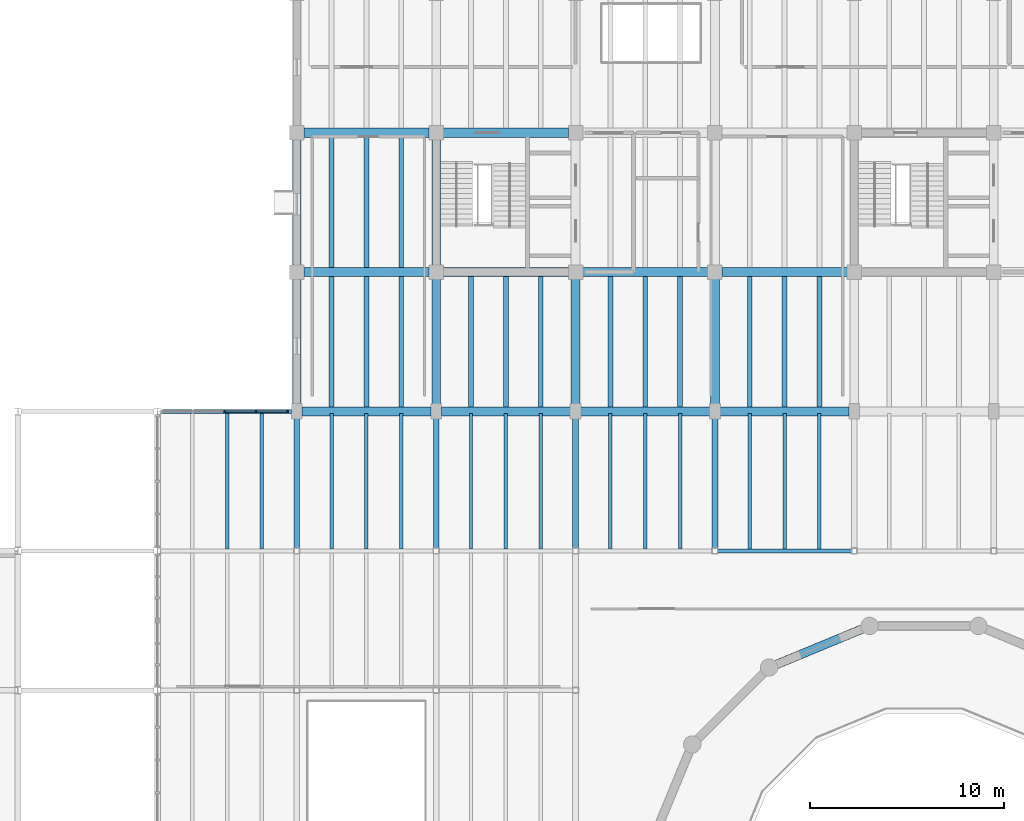
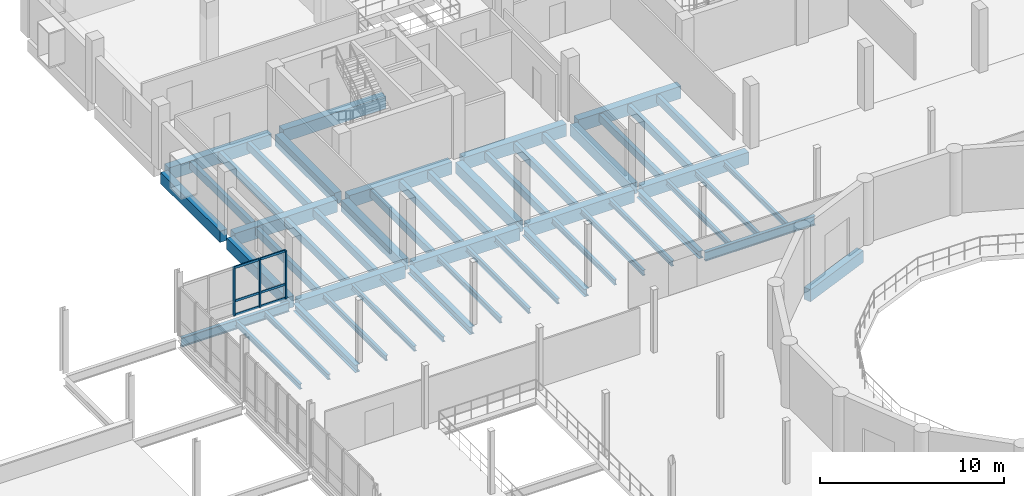
# One storey, part 31 of 72: 52 beams, 9 members, 1 element without a shape of its own.
"""IFC4 building model written with IfcOpenShell, lengths in metres."""

from ifc_helpers import new_model, si_unit, direction, frame, origin, origin_2d, place, context, subcontext, project, spatial, rectangle, i_section, extrude, material, material_profile, profile_set, type_object, element, aggregate, save


model = new_model("IFC4")

# Units and contexts
model_context = context("Model", 3, precision=1e-05, world=origin(), true_north=direction((0.0, 1.0)))
body_context = subcontext(model_context, "Body", "Model", "MODEL_VIEW")
ifc_project = project(units=[si_unit("LENGTHUNIT", "METRE"), si_unit("AREAUNIT", "SQUARE_METRE"), si_unit("VOLUMEUNIT", "CUBIC_METRE"), si_unit("PLANEANGLEUNIT", "RADIAN"), si_unit("MASSUNIT", "GRAM", prefix="KILO")], contexts=[model_context])

# Site, building, storey
site_placement = place(None, origin())
site = spatial("IfcSite", under=ifc_project, at=site_placement, CompositionType="ELEMENT")
building_placement = place(site_placement, origin())
building = spatial("IfcBuilding", under=site, at=building_placement, Name="Qiaolan Assembly House", CompositionType="ELEMENT")
storey_placement = place(building_placement, frame((0.0, 0.0, 10.199951171875)))
storey = spatial("IfcBuildingStorey", under=building, at=storey_placement, Name="L02", CompositionType="ELEMENT", Elevation=10.199951171875)

# Beams
ifc_material_1 = material(Name="Concrete C40/50", Category="concrete")
ifc_material_profile_1 = material_profile(ifc_material_1, rectangle(XDim=0.449951171875, YDim=0.75, at=origin_2d()), Name="RCB 450x750")
ifc_profile_set_1 = profile_set([ifc_material_profile_1], Name="Concrete C40/50")
beam_type_1 = type_object("IfcBeamType", Name="BM-RC-450x750", PredefinedType="BEAM", material=ifc_profile_set_1)
beam_1_placement = place(storey_placement, frame((36.0, 86.6650390625, -0.60498046875), z_axis=(0.0, 1.0, 0.0), x_axis=(-1.0, 0.0, 0.0)))
element("IfcBeam", 1, at=beam_1_placement, inside=storey, type_object=beam_type_1, Name="GB-04 beam BMY-NW-L02-00-00", PredefinedType="BEAM", context=body_context, shape_type="SweptSolid", body=[
    extrude(rectangle(XDim=0.449951171875, YDim=0.75, at=origin_2d()), origin(), (0.0, 0.0, 1.0), 6.570068359375),
])
beam_2_placement = place(storey_placement, frame((36.0, 93.965087890625, -0.60498046875), z_axis=(0.0, 1.0, 0.0), x_axis=(-1.0, 0.0, 0.0)))
element("IfcBeam", 2, at=beam_2_placement, inside=storey, type_object=beam_type_1, Name="GB-04 beam BMY-NW-L02-00-01", PredefinedType="BEAM", context=body_context, shape_type="SweptSolid", body=[
    extrude(rectangle(XDim=0.449951171875, YDim=0.75, at=origin_2d()), origin(), (0.0, 0.0, 1.0), 6.469970703125),
])
beam_3_placement = place(storey_placement, frame((43.199951171875, 86.6650390625, -0.60498046875), z_axis=(0.0, 1.0, 0.0), x_axis=(-1.0, 0.0, 0.0)))
element("IfcBeam", 3, at=beam_3_placement, inside=storey, type_object=beam_type_1, Name="GB-04 beam BMY-NW-L02-01-00", PredefinedType="BEAM", context=body_context, shape_type="SweptSolid", body=[
    extrude(rectangle(XDim=0.449951171875, YDim=0.75, at=origin_2d()), origin(), (0.0, 0.0, 1.0), 6.570068359375),
])
beam_4_placement = place(storey_placement, frame((43.199951171875, 93.965087890625, -0.60498046875), z_axis=(0.0, 1.0, 0.0), x_axis=(-1.0, 0.0, 0.0)))
element("IfcBeam", 4, at=beam_4_placement, inside=storey, type_object=beam_type_1, Name="GB-04 beam BMY-NW-L02-01-01", PredefinedType="BEAM", context=body_context, shape_type="SweptSolid", body=[
    extrude(rectangle(XDim=0.449951171875, YDim=0.75, at=origin_2d()), origin(), (0.0, 0.0, 1.0), 6.469970703125),
])
for number, where, z_axis, x_axis, name in (
    (5, (50.39990234375, 86.6650390625, -0.60498046875), (0.0, 1.0, 0.0), (-1.0, 0.0, 0.0), "GB-04 beam BMY-NW-L02-02-00"),
    (6, (57.60009765625, 86.6650390625, -0.60498046875), (0.0, 1.0, 0.0), (-1.0, 0.0, 0.0), "GB-04 beam BMY-NW-L02-03-00"),
):
    element("IfcBeam", number, at=place(storey_placement, frame(where, z_axis=z_axis, x_axis=x_axis)), inside=storey, type_object=beam_type_1, Name=name, PredefinedType="BEAM", context=body_context, shape_type="SweptSolid", body=[
        extrude(rectangle(XDim=0.449951171875, YDim=0.75, at=origin_2d()), origin(), (0.0, 0.0, 1.0), 6.570068359375),
    ])
ifc_material_profile_2 = material_profile(ifc_material_1, rectangle(XDim=0.449951171875, YDim=0.800048828125, at=origin_2d()), Name="RCB 450x800")
ifc_profile_set_2 = profile_set([ifc_material_profile_2], Name="Concrete C40/50")
beam_type_2 = type_object("IfcBeamType", Name="BM-RC-450x800", PredefinedType="BEAM", material=ifc_profile_set_2)
beam_5_placement = place(storey_placement, frame((65.18408203125, 75.155029296875, -0.68994140625), z_axis=(-0.923866113598, -0.382715826881, 0.0), x_axis=(0.382715826881, -0.923866113598, 0.0)))
element("IfcBeam", 7, at=beam_5_placement, inside=storey, type_object=beam_type_2, Name="GB-03 beam BM-DRUM-L02-04", PredefinedType="BEAM", context=body_context, shape_type="SweptSolid", body=[
    extrude(rectangle(XDim=0.449951171875, YDim=0.800048828125, at=origin_2d()), origin(), (0.0, 0.0, 1.0), 4.738525390625),
])
ifc_material_2 = material(Name="Concrete C45/55", Category="concrete")
ifc_material_profile_3 = material_profile(ifc_material_2, rectangle(XDim=0.47998046875, YDim=0.820068359375, at=origin_2d()), Name="RCB 480x820")
ifc_profile_set_3 = profile_set([ifc_material_profile_3], Name="Concrete C45/55")
beam_type_3 = type_object("IfcBeamType", Name="BM-RC-480x820", PredefinedType="BEAM", material=ifc_profile_set_3)
beam_6_placement = place(storey_placement, frame((36.264892578125, 86.39990234375, -0.7099609375), z_axis=(1.0, 0.0, 0.0), x_axis=(0.0, 1.0, 0.0)))
element("IfcBeam", 8, at=beam_6_placement, inside=storey, type_object=beam_type_3, Name="GB-14 beam BMX-NW-L02-00-00", PredefinedType="BEAM", context=body_context, shape_type="SweptSolid", body=[
    extrude(rectangle(XDim=0.47998046875, YDim=0.820068359375, at=origin_2d()), origin(), (0.0, 0.0, 1.0), 6.670166015625),
])
for number, where, z_axis, x_axis, name in (
    (9, (43.465087890625, 86.39990234375, -0.7099609375), (1.0, 0.0, 0.0), (0.0, 1.0, 0.0), "GB-14 beam BMX-NW-L02-01-00"),
    (10, (50.6650390625, 86.39990234375, -0.7099609375), (1.0, 0.0, 0.0), (0.0, 1.0, 0.0), "GB-14 beam BMX-NW-L02-02-00"),
    (11, (57.864990234375, 86.39990234375, -0.7099609375), (1.0, 0.0, 0.0), (0.0, 1.0, 0.0), "GB-14 beam BMX-NW-L02-03-00"),
):
    element("IfcBeam", number, at=place(storey_placement, frame(where, z_axis=z_axis, x_axis=x_axis)), inside=storey, type_object=beam_type_3, Name=name, PredefinedType="BEAM", context=body_context, shape_type="SweptSolid", body=[
        extrude(rectangle(XDim=0.47998046875, YDim=0.820068359375, at=origin_2d()), origin(), (0.0, 0.0, 1.0), 6.669921875),
    ])
for number, where, z_axis, x_axis, name in (
    (12, (36.364990234375, 93.60009765625, -0.639892578125), (1.0, 0.0, 0.0), (0.0, 1.0, 0.0), "GB-14 beam BMX-NW-L02-00-01"),
    (13, (43.56494140625, 93.60009765625, -0.639892578125), (1.0, 0.0, 0.0), (0.0, 1.0, 0.0), "GB-14 beam BMX-NW-L02-01-01"),
):
    element("IfcBeam", number, at=place(storey_placement, frame(where, z_axis=z_axis, x_axis=x_axis)), inside=storey, type_object=beam_type_3, Name=name, PredefinedType="BEAM", context=body_context, shape_type="SweptSolid", body=[
        extrude(rectangle(XDim=0.47998046875, YDim=0.820068359375, at=origin_2d()), origin(), (0.0, 0.0, 1.0), 6.469970703125),
    ])
beam_7_placement = place(storey_placement, frame((50.764892578125, 93.60009765625, -0.639892578125), z_axis=(1.0, 0.0, 0.0), x_axis=(0.0, 1.0, 0.0)))
element("IfcBeam", 14, at=beam_7_placement, inside=storey, type_object=beam_type_3, Name="GB-14 beam BMX-NW-L02-02-01", PredefinedType="BEAM", context=body_context, shape_type="SweptSolid", body=[
    extrude(rectangle(XDim=0.47998046875, YDim=0.820068359375, at=origin_2d()), origin(), (0.0, 0.0, 1.0), 6.47021484375),
])
for number, where, z_axis, x_axis, name in (
    (15, (57.965087890625, 93.60009765625, -0.639892578125), (1.0, 0.0, 0.0), (0.0, 1.0, 0.0), "GB-14 beam BMX-NW-L02-03-01"),
    (16, (36.364990234375, 100.800048828125, -0.639892578125), (1.0, 0.0, 0.0), (0.0, 1.0, 0.0), "GB-14 beam BMX-NW-L02-00-02"),
    (17, (43.56494140625, 100.800048828125, -0.639892578125), (1.0, 0.0, 0.0), (0.0, 1.0, 0.0), "GB-14 beam BMX-NW-L02-01-02"),
):
    element("IfcBeam", number, at=place(storey_placement, frame(where, z_axis=z_axis, x_axis=x_axis)), inside=storey, type_object=beam_type_3, Name=name, PredefinedType="BEAM", context=body_context, shape_type="SweptSolid", body=[
        extrude(rectangle(XDim=0.47998046875, YDim=0.820068359375, at=origin_2d()), origin(), (0.0, 0.0, 1.0), 6.469970703125),
    ])
ifc_material_3 = material(Name="Steel Q355B", Category="steel")
ifc_material_profile_4 = material_profile(ifc_material_3, i_section(OverallWidth=0.300048828125, OverallDepth=0.5, WebThickness=0.010986328125, FlangeThickness=0.01806640625, FilletRadius=0.02001953125, at=origin_2d()), Name="HM 500x300x11x18")
ifc_profile_set_4 = profile_set([ifc_material_profile_4], Name="Steel Q355B")
beam_type_4 = type_object("IfcBeamType", Name="BM-STL-HM500", PredefinedType="BEAM", material=ifc_profile_set_4)
for number, where, z_axis, x_axis, name in (
    (18, (36.0, 79.340087890625, -0.550048828125), (0.0, 1.0, 0.0), (-1.0, 0.0, 0.0), "SB-15 beam BMY-HL-L02-02-06"),
    (19, (43.199951171875, 79.340087890625, -0.550048828125), (0.0, 1.0, 0.0), (-1.0, 0.0, 0.0), "SB-15 beam BMY-HL-L02-03-06"),
    (20, (50.39990234375, 79.340087890625, -0.550048828125), (0.0, 1.0, 0.0), (-1.0, 0.0, 0.0), "SB-15 beam BMY-HL-L02-04-06"),
    (21, (57.60009765625, 79.340087890625, -0.550048828125), (0.0, 1.0, 0.0), (-1.0, 0.0, 0.0), "SB-15 beam BMY-HL-L02-05-06"),
):
    element("IfcBeam", number, at=place(storey_placement, frame(where, z_axis=z_axis, x_axis=x_axis)), inside=storey, type_object=beam_type_4, Name=name, PredefinedType="BEAM", context=body_context, shape_type="SweptSolid", body=[
        extrude(i_section(OverallWidth=0.300048828125, OverallDepth=0.5, WebThickness=0.010986328125, FlangeThickness=0.01806640625, FilletRadius=0.02001953125, at=origin_2d()), origin(), (0.0, 0.0, 1.0), 6.794921875),
    ])
ifc_material_profile_5 = material_profile(ifc_material_3, i_section(OverallWidth=0.2099609375, OverallDepth=0.610107421875, WebThickness=0.010986328125, FlangeThickness=0.01806640625, FilletRadius=0.02001953125, at=origin_2d()), Name="HN 610x210x11x18")
ifc_profile_set_5 = profile_set([ifc_material_profile_5], Name="Steel Q355B")
beam_type_5 = type_object("IfcBeamType", Name="BM-STL-HN610", PredefinedType="BEAM", material=ifc_profile_set_5)
beam_8_placement = place(storey_placement, frame((57.739990234375, 79.199951171875, -0.60498046875), z_axis=(1.0, 0.0, 0.0), x_axis=(0.0, 1.0, 0.0)))
element("IfcBeam", 22, at=beam_8_placement, inside=storey, type_object=beam_type_5, Name="SB-11 beam BMX-HL-L02-05-06", PredefinedType="BEAM", context=body_context, shape_type="SweptSolid", body=[
    extrude(i_section(OverallWidth=0.2099609375, OverallDepth=0.610107421875, WebThickness=0.010986328125, FlangeThickness=0.01806640625, FilletRadius=0.02001953125, at=origin_2d()), origin(), (0.0, 0.0, 1.0), 6.919921875),
])
beam_9_placement = place(storey_placement, frame((28.965087890625, 86.39990234375, -0.60498046875), z_axis=(1.0, 0.0, 0.0), x_axis=(0.0, 1.0, 0.0)))
element("IfcBeam", 23, at=beam_9_placement, inside=storey, type_object=beam_type_5, Name="SB-11 beam BMX-HL-L02-01-07", PredefinedType="BEAM", context=body_context, shape_type="SweptSolid", body=[
    extrude(i_section(OverallWidth=0.2099609375, OverallDepth=0.610107421875, WebThickness=0.010986328125, FlangeThickness=0.01806640625, FilletRadius=0.02001953125, at=origin_2d()), origin(), (0.0, 0.0, 1.0), 6.77001953125),
])

# Curtain wall, members
ifc_material_4 = material(Name="Anodised bronze aluminium", Category="aluminium")
curtain_wall_type = type_object("IfcCurtainWallType", Name="CW-HALL-UPPER-480", PredefinedType="NOTDEFINED", material=ifc_material_4)
curtain_wall_placement = place(storey_placement, origin())
curtain_wall = element("IfcCurtainWall", 24, at=curtain_wall_placement, inside=storey, type_object=curtain_wall_type, Name="CW-02 Hall North-West link CW L02", PredefinedType="NOTDEFINED")
ifc_material_profile_6 = material_profile(ifc_material_4, rectangle(XDim=0.0859375, YDim=0.199951171875, at=origin_2d()), Name="MUL 86x200")
ifc_profile_set_6 = profile_set([ifc_material_profile_6], Name="Anodised bronze aluminium")
member_type_1 = type_object("IfcMemberType", Name="CW-HALL-UPPER-480-MUL", PredefinedType="MULLION", material=ifc_profile_set_6)
member_1_placement = place(storey_placement, frame((35.52001953125, 86.39990234375, 0.0), z_axis=(0.0, 0.0, 1.0), x_axis=(-1.0, 0.0, 0.0)))
member_1 = element("IfcMember", 25, at=member_1_placement, type_object=member_type_1, Name="ML-02 mullion CW-HALL-NWJ-L02-1", PredefinedType="MULLION", context=body_context, shape_type="SweptSolid", body=[
    extrude(rectangle(XDim=0.0859375, YDim=0.199951171875, at=origin_2d()), origin(), (0.0, 0.0, 1.0), 3.199951171875),
])
member_2_placement = place(storey_placement, frame((33.89501953125, 86.39990234375, 0.0), z_axis=(0.0, 0.0, 1.0), x_axis=(-1.0, 0.0, 0.0)))
member_2 = element("IfcMember", 26, at=member_2_placement, type_object=member_type_1, Name="ML-02 mullion CW-HALL-NWJ-L02-2", PredefinedType="MULLION", context=body_context, shape_type="SweptSolid", body=[
    extrude(rectangle(XDim=0.0859375, YDim=0.199951171875, at=origin_2d()), origin(), (0.0, 0.0, 1.0), 3.199951171875),
])
member_3_placement = place(storey_placement, frame((32.27001953125, 86.39990234375, 0.0), z_axis=(0.0, 0.0, 1.0), x_axis=(-1.0, 0.0, 0.0)))
member_3 = element("IfcMember", 27, at=member_3_placement, type_object=member_type_1, Name="ML-02 mullion CW-HALL-NWJ-L02-3", PredefinedType="MULLION", context=body_context, shape_type="SweptSolid", body=[
    extrude(rectangle(XDim=0.0859375, YDim=0.199951171875, at=origin_2d()), origin(), (0.0, 0.0, 1.0), 3.199951171875),
])
ifc_material_profile_7 = material_profile(ifc_material_4, rectangle(XDim=0.075927734375, YDim=0.14990234375, at=origin_2d()), Name="TRN 76x150")
ifc_profile_set_7 = profile_set([ifc_material_profile_7], Name="Anodised bronze aluminium")
member_type_2 = type_object("IfcMemberType", Name="CW-HALL-UPPER-480-TRN", PredefinedType="USERDEFINED", material=ifc_profile_set_7)
member_4_placement = place(storey_placement, frame((35.47705078125, 86.39990234375, 0.030029296875), z_axis=(-1.0, 0.0, 0.0), x_axis=(0.0, -1.0, 0.0)))
member_4 = element("IfcMember", 28, at=member_4_placement, type_object=member_type_2, Name="TR-02 transom CW-HALL-NWJ-L02-1-1", ObjectType="TRANSOM", PredefinedType="USERDEFINED", context=body_context, shape_type="SweptSolid", body=[
    extrude(rectangle(XDim=0.075927734375, YDim=0.14990234375, at=origin_2d()), origin(), (0.0, 0.0, 1.0), 1.5390625),
])
member_5_placement = place(storey_placement, frame((35.47705078125, 86.39990234375, 0.949951171875), z_axis=(-1.0, 0.0, 0.0), x_axis=(0.0, -1.0, 0.0)))
member_5 = element("IfcMember", 29, at=member_5_placement, type_object=member_type_2, Name="TR-02 transom CW-HALL-NWJ-L02-1-2", ObjectType="TRANSOM", PredefinedType="USERDEFINED", context=body_context, shape_type="SweptSolid", body=[
    extrude(rectangle(XDim=0.075927734375, YDim=0.14990234375, at=origin_2d()), origin(), (0.0, 0.0, 1.0), 1.5390625),
])
member_6_placement = place(storey_placement, frame((35.47705078125, 86.39990234375, 3.170166015625), z_axis=(-1.0, 0.0, 0.0), x_axis=(0.0, -1.0, 0.0)))
member_6 = element("IfcMember", 30, at=member_6_placement, type_object=member_type_2, Name="TR-02 transom CW-HALL-NWJ-L02-1-3", ObjectType="TRANSOM", PredefinedType="USERDEFINED", context=body_context, shape_type="SweptSolid", body=[
    extrude(rectangle(XDim=0.075927734375, YDim=0.14990234375, at=origin_2d()), origin(), (0.0, 0.0, 1.0), 1.5390625),
])
member_7_placement = place(storey_placement, frame((33.85205078125, 86.39990234375, 0.030029296875), z_axis=(-1.0, 0.0, 0.0), x_axis=(0.0, -1.0, 0.0)))
member_7 = element("IfcMember", 31, at=member_7_placement, type_object=member_type_2, Name="TR-02 transom CW-HALL-NWJ-L02-2-1", ObjectType="TRANSOM", PredefinedType="USERDEFINED", context=body_context, shape_type="SweptSolid", body=[
    extrude(rectangle(XDim=0.075927734375, YDim=0.14990234375, at=origin_2d()), origin(), (0.0, 0.0, 1.0), 1.5390625),
])
member_8_placement = place(storey_placement, frame((33.85205078125, 86.39990234375, 0.949951171875), z_axis=(-1.0, 0.0, 0.0), x_axis=(0.0, -1.0, 0.0)))
member_8 = element("IfcMember", 32, at=member_8_placement, type_object=member_type_2, Name="TR-02 transom CW-HALL-NWJ-L02-2-2", ObjectType="TRANSOM", PredefinedType="USERDEFINED", context=body_context, shape_type="SweptSolid", body=[
    extrude(rectangle(XDim=0.075927734375, YDim=0.14990234375, at=origin_2d()), origin(), (0.0, 0.0, 1.0), 1.5390625),
])
member_9_placement = place(storey_placement, frame((33.85205078125, 86.39990234375, 3.170166015625), z_axis=(-1.0, 0.0, 0.0), x_axis=(0.0, -1.0, 0.0)))
member_9 = element("IfcMember", 33, at=member_9_placement, type_object=member_type_2, Name="TR-02 transom CW-HALL-NWJ-L02-2-3", ObjectType="TRANSOM", PredefinedType="USERDEFINED", context=body_context, shape_type="SweptSolid", body=[
    extrude(rectangle(XDim=0.075927734375, YDim=0.14990234375, at=origin_2d()), origin(), (0.0, 0.0, 1.0), 1.5390625),
])
aggregate(curtain_wall, [member_1, member_2, member_3, member_4, member_5, member_6, member_7, member_8, member_9])

# Beams
ifc_material_profile_8 = material_profile(ifc_material_1, rectangle(XDim=0.25, YDim=0.5, at=origin_2d()), Name="RCB 250x500")
ifc_profile_set_8 = profile_set([ifc_material_profile_8], Name="Concrete C40/50")
beam_type_6 = type_object("IfcBeamType", Name="JST-RC-250x500", PredefinedType="JOIST", material=ifc_profile_set_8)
for number, where, z_axis, x_axis, name in (
    (34, (37.800048828125, 86.634033203125, -0.550048828125), (0.0, 1.0, 0.0), (-1.0, 0.0, 0.0), "RJ-01 beam JST-NW-L02-00-00-1"),
    (35, (39.60009765625, 86.634033203125, -0.550048828125), (0.0, 1.0, 0.0), (-1.0, 0.0, 0.0), "RJ-01 beam JST-NW-L02-00-00-2"),
    (36, (41.39990234375, 86.634033203125, -0.550048828125), (0.0, 1.0, 0.0), (-1.0, 0.0, 0.0), "RJ-01 beam JST-NW-L02-00-00-3"),
    (37, (37.800048828125, 93.833984375, -0.47998046875), (0.0, 1.0, 0.0), (-1.0, 0.0, 0.0), "RJ-01 beam JST-NW-L02-00-01-1"),
    (38, (39.60009765625, 93.833984375, -0.47998046875), (0.0, 1.0, 0.0), (-1.0, 0.0, 0.0), "RJ-01 beam JST-NW-L02-00-01-2"),
    (39, (41.39990234375, 93.833984375, -0.47998046875), (0.0, 1.0, 0.0), (-1.0, 0.0, 0.0), "RJ-01 beam JST-NW-L02-00-01-3"),
    (40, (45.0, 86.634033203125, -0.550048828125), (0.0, 1.0, 0.0), (-1.0, 0.0, 0.0), "RJ-01 beam JST-NW-L02-01-00-1"),
    (41, (46.800048828125, 86.634033203125, -0.550048828125), (0.0, 1.0, 0.0), (-1.0, 0.0, 0.0), "RJ-01 beam JST-NW-L02-01-00-2"),
    (42, (48.60009765625, 86.634033203125, -0.550048828125), (0.0, 1.0, 0.0), (-1.0, 0.0, 0.0), "RJ-01 beam JST-NW-L02-01-00-3"),
    (43, (52.199951171875, 86.634033203125, -0.550048828125), (0.0, 1.0, 0.0), (-1.0, 0.0, 0.0), "RJ-01 beam JST-NW-L02-02-00-1"),
    (44, (54.0, 86.634033203125, -0.550048828125), (0.0, 1.0, 0.0), (-1.0, 0.0, 0.0), "RJ-01 beam JST-NW-L02-02-00-2"),
    (45, (55.800048828125, 86.634033203125, -0.550048828125), (0.0, 1.0, 0.0), (-1.0, 0.0, 0.0), "RJ-01 beam JST-NW-L02-02-00-3"),
    (46, (59.39990234375, 86.634033203125, -0.550048828125), (0.0, 1.0, 0.0), (-1.0, 0.0, 0.0), "RJ-01 beam JST-NW-L02-03-00-1"),
    (47, (61.199951171875, 86.634033203125, -0.550048828125), (0.0, 1.0, 0.0), (-1.0, 0.0, 0.0), "RJ-01 beam JST-NW-L02-03-00-2"),
    (48, (63.0, 86.634033203125, -0.550048828125), (0.0, 1.0, 0.0), (-1.0, 0.0, 0.0), "RJ-01 beam JST-NW-L02-03-00-3"),
):
    element("IfcBeam", number, at=place(storey_placement, frame(where, z_axis=z_axis, x_axis=x_axis)), inside=storey, type_object=beam_type_6, Name=name, PredefinedType="JOIST", context=body_context, shape_type="SweptSolid", body=[
        extrude(rectangle(XDim=0.25, YDim=0.5, at=origin_2d()), origin(), (0.0, 0.0, 1.0), 6.73193359375),
    ])
ifc_material_profile_9 = material_profile(ifc_material_3, i_section(OverallWidth=0.179931640625, OverallDepth=0.35498046875, WebThickness=0.007568359375, FlangeThickness=0.011474609375, FilletRadius=0.013916015625, at=origin_2d()), Name="HM 355x180x7.5x11.5")
ifc_profile_set_9 = profile_set([ifc_material_profile_9], Name="Steel Q355B")
beam_type_7 = type_object("IfcBeamType", Name="JST-STL-HM355", PredefinedType="JOIST", material=ifc_profile_set_9)
for number, where, z_axis, x_axis, name in (
    (49, (32.39990234375, 79.299072265625, -0.4775390625), (0.0, 1.0, 0.0), (-1.0, 0.0, 0.0), "SJ-04 beam JST-HL-L02-01-06-2"),
    (50, (34.199951171875, 79.299072265625, -0.4775390625), (0.0, 1.0, 0.0), (-1.0, 0.0, 0.0), "SJ-04 beam JST-HL-L02-01-06-3"),
    (51, (37.800048828125, 79.299072265625, -0.4775390625), (0.0, 1.0, 0.0), (-1.0, 0.0, 0.0), "SJ-04 beam JST-HL-L02-02-06-1"),
    (52, (39.60009765625, 79.299072265625, -0.4775390625), (0.0, 1.0, 0.0), (-1.0, 0.0, 0.0), "SJ-04 beam JST-HL-L02-02-06-2"),
    (53, (41.39990234375, 79.299072265625, -0.4775390625), (0.0, 1.0, 0.0), (-1.0, 0.0, 0.0), "SJ-04 beam JST-HL-L02-02-06-3"),
    (54, (45.0, 79.299072265625, -0.4775390625), (0.0, 1.0, 0.0), (-1.0, 0.0, 0.0), "SJ-04 beam JST-HL-L02-03-06-1"),
    (55, (46.800048828125, 79.299072265625, -0.4775390625), (0.0, 1.0, 0.0), (-1.0, 0.0, 0.0), "SJ-04 beam JST-HL-L02-03-06-2"),
    (56, (48.60009765625, 79.299072265625, -0.4775390625), (0.0, 1.0, 0.0), (-1.0, 0.0, 0.0), "SJ-04 beam JST-HL-L02-03-06-3"),
    (57, (52.199951171875, 79.299072265625, -0.4775390625), (0.0, 1.0, 0.0), (-1.0, 0.0, 0.0), "SJ-04 beam JST-HL-L02-04-06-1"),
    (58, (54.0, 79.299072265625, -0.4775390625), (0.0, 1.0, 0.0), (-1.0, 0.0, 0.0), "SJ-04 beam JST-HL-L02-04-06-2"),
    (59, (55.800048828125, 79.299072265625, -0.4775390625), (0.0, 1.0, 0.0), (-1.0, 0.0, 0.0), "SJ-04 beam JST-HL-L02-04-06-3"),
    (60, (59.39990234375, 79.299072265625, -0.4775390625), (0.0, 1.0, 0.0), (-1.0, 0.0, 0.0), "SJ-04 beam JST-HL-L02-05-06-1"),
    (61, (61.199951171875, 79.299072265625, -0.4775390625), (0.0, 1.0, 0.0), (-1.0, 0.0, 0.0), "SJ-04 beam JST-HL-L02-05-06-2"),
    (62, (63.0, 79.299072265625, -0.4775390625), (0.0, 1.0, 0.0), (-1.0, 0.0, 0.0), "SJ-04 beam JST-HL-L02-05-06-3"),
):
    element("IfcBeam", number, at=place(storey_placement, frame(where, z_axis=z_axis, x_axis=x_axis)), inside=storey, type_object=beam_type_7, Name=name, PredefinedType="JOIST", context=body_context, shape_type="SweptSolid", body=[
        extrude(i_section(OverallWidth=0.179931640625, OverallDepth=0.35498046875, WebThickness=0.007568359375, FlangeThickness=0.011474609375, FilletRadius=0.013916015625, at=origin_2d()), origin(), (0.0, 0.0, 1.0), 7.001953125),
    ])

save(model, "model.ifc")
